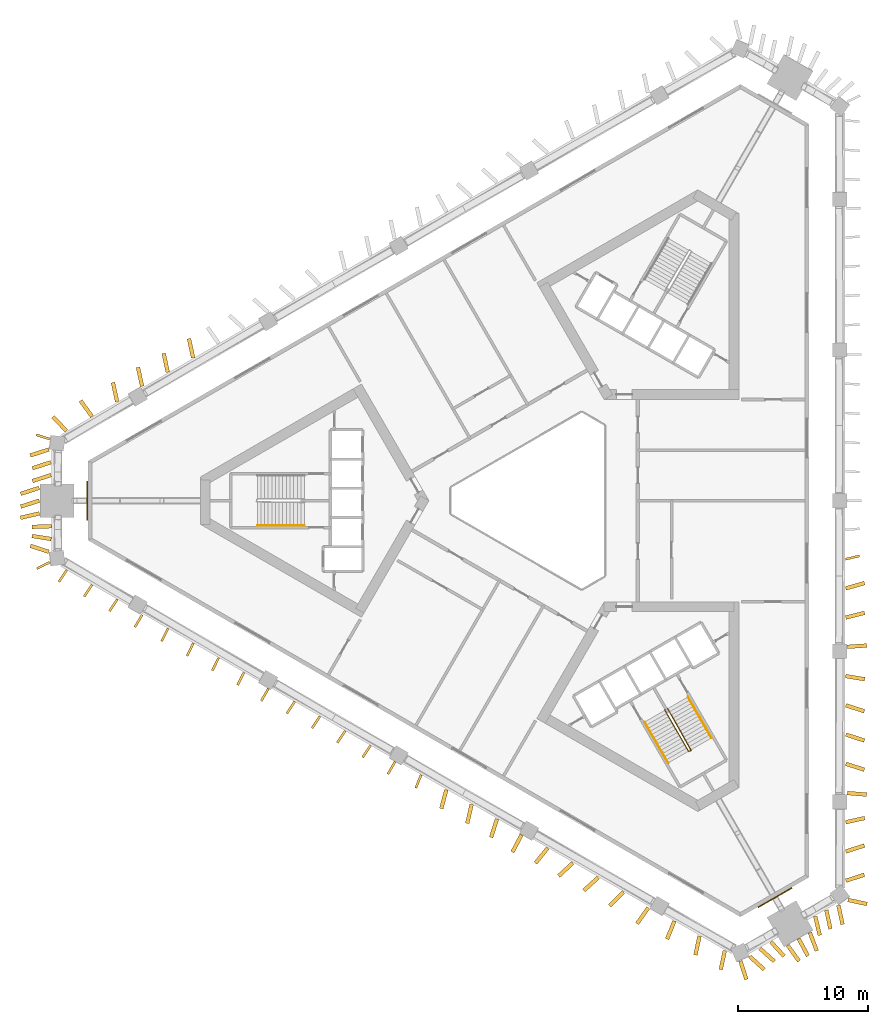
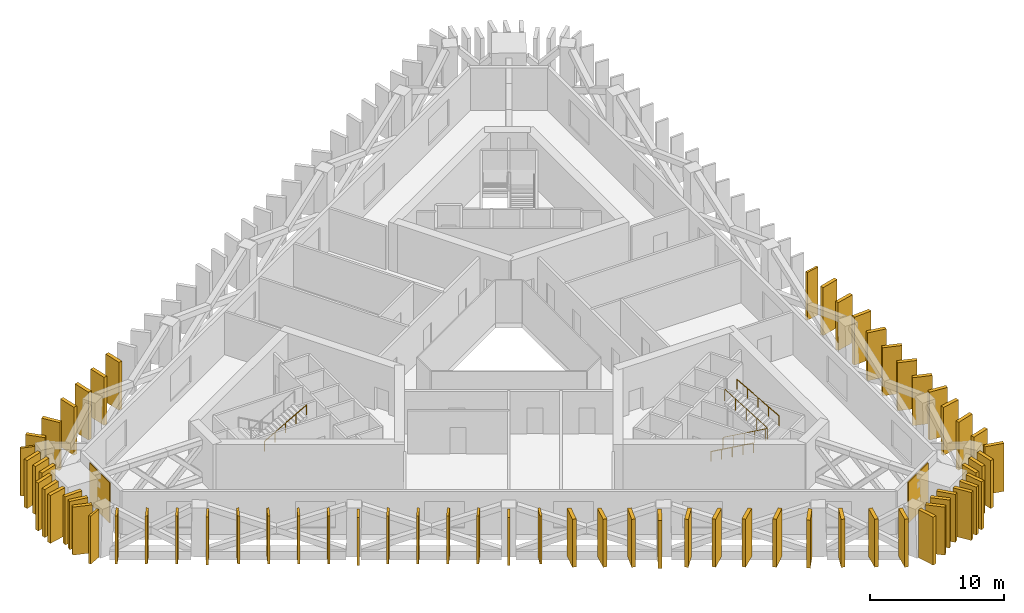
# One storey, part 8 of 9: 67 shading devices, 4 railings, 2 coverings.
"""IFC4 building model written with IfcOpenShell, lengths in metres."""

from ifc_helpers import new_model, si_unit, direction, frame, frame_2d, origin, origin_2d, place, context, subcontext, project, spatial, rectangle, circle, extrude, material, layer, layer_set, type_object, element, save


model = new_model("IFC4")

# Units and contexts
model_context = context("Model", 3, precision=1e-05, world=origin(), true_north=direction((0.0, 1.0)))
body_context = subcontext(model_context, "Body", "Model", "MODEL_VIEW")
ifc_project = project(units=[si_unit("LENGTHUNIT", "METRE"), si_unit("AREAUNIT", "SQUARE_METRE"), si_unit("VOLUMEUNIT", "CUBIC_METRE"), si_unit("PLANEANGLEUNIT", "RADIAN"), si_unit("MASSUNIT", "GRAM", prefix="KILO")], contexts=[model_context])

# Site, building, storey
site_placement = place(None, origin())
site = spatial("IfcSite", under=ifc_project, at=site_placement, CompositionType="ELEMENT")
building_placement = place(site_placement, origin())
building = spatial("IfcBuilding", under=site, at=building_placement, Name="Jabali Bay Hotel Tower and Convention Centre", CompositionType="ELEMENT")
storey_placement = place(building_placement, frame((0.0, 0.0, 98.0)))
storey = spatial("IfcBuildingStorey", under=building, at=storey_placement, Name="L23", CompositionType="ELEMENT", Elevation=98.0)

# Shading devices
ifc_material_1 = material(Name="Precast concrete C60", Category="concrete")
ifc_layer_1 = layer(ifc_material_1, 0.179931640625)
ifc_layer_set_1 = layer_set([ifc_layer_1], Name="Precast concrete C60")
shading_device_type_1 = type_object("IfcShadingDeviceType", Name="Precast fin 4380 x 1100", PredefinedType="USERDEFINED", material=ifc_layer_set_1)
for number, where, z_axis, x_axis, name in (
    (1, (98.0966796875, 75.49462890625, 0.010009765625), (0.0, 0.0, 1.0), (0.975909482214, 0.218175806463, 0.0), "Fin L23 011"),
    (2, (38.09716796875, 74.65185546875, 0.010009765625), (0.0, 0.0, 1.0), (-0.555724089154, -0.831366788327, 0.0), "Fin L23 072"),
):
    element("IfcShadingDevice", number, at=place(storey_placement, frame(where, z_axis=z_axis, x_axis=x_axis)), inside=storey, type_object=shading_device_type_1, Name=name, ObjectType="FIN", PredefinedType="USERDEFINED", context=body_context, shape_type="SweptSolid", body=[
        extrude(rectangle(XDim=1.10009765625, YDim=0.179931640625, at=frame_2d((0.550048828125, 0.0))), origin(), (0.0, 0.0, 1.0), 4.3798828125),
    ])
shading_device_1_placement = place(storey_placement, frame((40.048095703125, 73.525634765625, 0.010009765625), z_axis=(0.0, 0.0, 1.0), x_axis=(-0.554239113087, -0.832357498629, 0.0)))
element("IfcShadingDevice", 3, at=shading_device_1_placement, inside=storey, type_object=shading_device_type_1, Name="Fin L23 073", ObjectType="FIN", PredefinedType="USERDEFINED", context=body_context, shape_type="SweptSolid", body=[
    extrude(rectangle(XDim=1.099853515625, YDim=0.179931640625, at=frame_2d((0.5498046875, 0.0))), origin(), (0.0, 0.0, 1.0), 4.3798828125),
])
for number, where, z_axis, x_axis, name in (
    (4, (41.9990234375, 72.3994140625, 0.010009765625), (0.0, 0.0, 1.0), (-0.553726719201, -0.832698457091, 0.0), "Fin L23 074"),
    (5, (43.90673828125, 71.19873046875, 0.010009765625), (0.0, 0.0, 1.0), (-0.511784264173, -0.859114001134, 0.0), "Fin L23 075"),
    (6, (45.90087890625, 70.147216796875, 0.010009765625), (0.0, 0.0, 1.0), (-0.449431634171, -0.893314729648, 0.0), "Fin L23 076"),
    (7, (47.8515625, 69.0205078125, 0.010009765625), (0.0, 0.0, 1.0), (-0.444726372088, -0.895666485903, 0.0), "Fin L23 077"),
):
    element("IfcShadingDevice", number, at=place(storey_placement, frame(where, z_axis=z_axis, x_axis=x_axis)), inside=storey, type_object=shading_device_type_1, Name=name, ObjectType="FIN", PredefinedType="USERDEFINED", context=body_context, shape_type="SweptSolid", body=[
        extrude(rectangle(XDim=1.10009765625, YDim=0.179931640625, at=frame_2d((0.550048828125, 0.0))), origin(), (0.0, 0.0, 1.0), 4.3798828125),
    ])
shading_device_2_placement = place(storey_placement, frame((49.802490234375, 67.89404296875, 0.010009765625), z_axis=(0.0, 0.0, 1.0), x_axis=(-0.444814783853, -0.895622581262, 0.0)))
element("IfcShadingDevice", 8, at=shading_device_2_placement, inside=storey, type_object=shading_device_type_1, Name="Fin L23 078", ObjectType="FIN", PredefinedType="USERDEFINED", context=body_context, shape_type="SweptSolid", body=[
    extrude(rectangle(XDim=1.099853515625, YDim=0.179931640625, at=frame_2d((0.5498046875, 0.0))), origin(), (0.0, 0.0, 1.0), 4.3798828125),
])
for number, where, z_axis, x_axis, name in (
    (9, (51.753662109375, 66.76806640625, 0.010009765625), (0.0, 0.0, 1.0), (-0.448988248692, -0.89353766151, 0.0), "Fin L23 079"),
    (10, (53.632080078125, 65.516357421875, 0.010009765625), (0.0, 0.0, 1.0), (-0.501578583519, -0.865112087856, 0.0), "Fin L23 080"),
    (11, (55.6552734375, 64.515625, 0.010009765625), (0.0, 0.0, 1.0), (-0.547972709653, -0.836496210078, 0.0), "Fin L23 081"),
    (12, (57.605712890625, 63.388427734375, 0.010009765625), (0.0, 0.0, 1.0), (-0.555980009223, -0.831195662491, 0.0), "Fin L23 082"),
):
    element("IfcShadingDevice", number, at=place(storey_placement, frame(where, z_axis=z_axis, x_axis=x_axis)), inside=storey, type_object=shading_device_type_1, Name=name, ObjectType="FIN", PredefinedType="USERDEFINED", context=body_context, shape_type="SweptSolid", body=[
        extrude(rectangle(XDim=1.10009765625, YDim=0.179931640625, at=frame_2d((0.550048828125, 0.0))), origin(), (0.0, 0.0, 1.0), 4.3798828125),
    ])
for number, where, z_axis, x_axis, name in (
    (13, (59.556396484375, 62.26171875, 0.010009765625), (0.0, 0.0, 1.0), (-0.560475076769, -0.828171291654, 0.0), "Fin L23 083"),
    (14, (61.5078125, 61.13623046875, 0.010009765625), (0.0, 0.0, 1.0), (-0.551160687173, -0.834399123271, 0.0), "Fin L23 084"),
):
    element("IfcShadingDevice", number, at=place(storey_placement, frame(where, z_axis=z_axis, x_axis=x_axis)), inside=storey, type_object=shading_device_type_1, Name=name, ObjectType="FIN", PredefinedType="USERDEFINED", context=body_context, shape_type="SweptSolid", body=[
        extrude(rectangle(XDim=1.099853515625, YDim=0.179931640625, at=frame_2d((0.5498046875, 0.0))), origin(), (0.0, 0.0, 1.0), 4.3798828125),
    ])
shading_device_3_placement = place(storey_placement, frame((63.38623046875, 59.884521484375, 0.010009765625), z_axis=(0.0, 0.0, 1.0), x_axis=(-0.49554135121, -0.868584347799, 0.0)))
element("IfcShadingDevice", 15, at=shading_device_3_placement, inside=storey, type_object=shading_device_type_1, Name="Fin L23 085", ObjectType="FIN", PredefinedType="USERDEFINED", context=body_context, shape_type="SweptSolid", body=[
    extrude(rectangle(XDim=1.10009765625, YDim=0.179931640625, at=frame_2d((0.550048828125, 0.0))), origin(), (0.0, 0.0, 1.0), 4.3798828125),
])
shading_device_4_placement = place(storey_placement, frame((65.406005859375, 58.87744140625, 0.010009765625), z_axis=(0.0, 0.0, 1.0), x_axis=(-0.375787543614, -0.926705844411, 0.0)))
element("IfcShadingDevice", 16, at=shading_device_4_placement, inside=storey, type_object=shading_device_type_1, Name="Fin L23 086", ObjectType="FIN", PredefinedType="USERDEFINED", context=body_context, shape_type="SweptSolid", body=[
    extrude(rectangle(XDim=1.099853515625, YDim=0.179931640625, at=frame_2d((0.5498046875, 0.0))), origin(), (0.0, 0.0, 1.0), 4.3798828125),
])
shading_device_5_placement = place(storey_placement, frame((36.79052734375, 84.74169921875, 0.010009765625), z_axis=(0.0, 0.0, 1.0), x_axis=(-0.953515567639, 0.301343760962, 0.0)))
element("IfcShadingDevice", 17, at=shading_device_5_placement, inside=storey, type_object=shading_device_type_1, Name="Fin L23 111", ObjectType="FIN", PredefinedType="USERDEFINED", context=body_context, shape_type="SweptSolid", body=[
    extrude(rectangle(XDim=1.10009765625, YDim=0.179931640625, at=frame_2d((0.550048828125, 0.0))), origin(), (0.0, 0.0, 1.0), 4.3798828125),
])
shading_device_6_placement = place(storey_placement, frame((36.778076171875, 75.2509765625, 0.010009765625), z_axis=(0.0, 0.0, 1.0), x_axis=(-0.897688364784, -0.440630911003, 0.0)))
element("IfcShadingDevice", 18, at=shading_device_6_placement, inside=storey, type_object=shading_device_type_1, Name="Fin L23 112", ObjectType="FIN", PredefinedType="USERDEFINED", context=body_context, shape_type="SweptSolid", body=[
    extrude(rectangle(XDim=1.099853515625, YDim=0.179931640625, at=frame_2d((0.5498046875, 0.0))), origin(), (0.0, 0.0, 1.0), 4.3798828125),
])
ifc_layer_2 = layer(ifc_material_1, 0.300048828125)
ifc_layer_set_2 = layer_set([ifc_layer_2], Name="Precast concrete C60")
shading_device_type_2 = type_object("IfcShadingDeviceType", Name="Precast fin 4380 x 1500", PredefinedType="USERDEFINED", material=ifc_layer_set_2)
for number, where, z_axis, x_axis, name in (
    (19, (98.123046875, 50.715087890625, 0.010009765625), (0.0, 0.0, 1.0), (0.951777621698, 0.30678878538, 0.0), "Fin L23 000"),
    (20, (98.123046875, 52.9677734375, 0.010009765625), (0.0, 0.0, 1.0), (0.951777621698, 0.30678878538, 0.0), "Fin L23 001"),
    (21, (98.109619140625, 55.220458984375, 0.010009765625), (0.0, 0.0, 1.0), (0.976286533474, 0.216482342368, 0.0), "Fin L23 002"),
    (22, (98.236328125, 57.47314453125, 0.010009765625), (0.0, 0.0, 1.0), (0.996602769418, -0.08235848462, 0.0), "Fin L23 003"),
    (23, (98.123046875, 59.725830078125, 0.010009765625), (0.0, 0.0, 1.0), (0.951825135568, -0.306641339844, 0.0), "Fin L23 004"),
    (24, (98.123046875, 61.978515625, 0.010009765625), (0.0, 0.0, 1.0), (0.951825135568, -0.306641339844, 0.0), "Fin L23 005"),
    (25, (98.123046875, 64.231201171875, 0.010009765625), (0.0, 0.0, 1.0), (0.951825135568, -0.306641339844, 0.0), "Fin L23 006"),
):
    element("IfcShadingDevice", number, at=place(storey_placement, frame(where, z_axis=z_axis, x_axis=x_axis)), inside=storey, type_object=shading_device_type_2, Name=name, ObjectType="FIN", PredefinedType="USERDEFINED", context=body_context, shape_type="SweptSolid", body=[
        extrude(rectangle(XDim=1.5, YDim=0.300048828125, at=frame_2d((0.75, 0.0))), origin(), (0.0, 0.0, 1.0), 4.3798828125),
    ])
shading_device_7_placement = place(storey_placement, frame((98.101318359375, 66.48388671875, 0.010009765625), z_axis=(0.0, 0.0, 1.0), x_axis=(0.986882126958, -0.161442458764, 0.0)))
element("IfcShadingDevice", 26, at=shading_device_7_placement, inside=storey, type_object=shading_device_type_2, Name="Fin L23 007", ObjectType="FIN", PredefinedType="USERDEFINED", context=body_context, shape_type="SweptSolid", body=[
    extrude(rectangle(XDim=1.500244140625, YDim=0.300048828125, at=frame_2d((0.75, 0.0))), origin(), (0.0, 0.0, 1.0), 4.3798828125),
])
shading_device_8_placement = place(storey_placement, frame((98.2373046875, 68.736572265625, 0.010009765625), z_axis=(0.0, 0.0, 1.0), x_axis=(0.99766104503, 0.068355242889, 0.0)))
element("IfcShadingDevice", 27, at=shading_device_8_placement, inside=storey, type_object=shading_device_type_2, Name="Fin L23 008", ObjectType="FIN", PredefinedType="USERDEFINED", context=body_context, shape_type="SweptSolid", body=[
    extrude(rectangle(XDim=1.5, YDim=0.300048828125, at=frame_2d((0.75, 0.0))), origin(), (0.0, 0.0, 1.0), 4.3798828125),
])
shading_device_9_placement = place(storey_placement, frame((98.1142578125, 70.9892578125, 0.010009765625), z_axis=(0.0, 0.0, 1.0), x_axis=(0.96899237774, 0.247090614717, 0.0)))
element("IfcShadingDevice", 28, at=shading_device_9_placement, inside=storey, type_object=shading_device_type_2, Name="Fin L23 009", ObjectType="FIN", PredefinedType="USERDEFINED", context=body_context, shape_type="SweptSolid", body=[
    extrude(rectangle(XDim=1.499755859375, YDim=0.300048828125, at=frame_2d((0.75, 0.0))), origin(), (0.0, 0.0, 1.0), 4.3798828125),
])
for number, where, z_axis, x_axis, name in (
    (29, (98.118408203125, 73.241943359375, 0.010009765625), (0.0, 0.0, 1.0), (0.961566928218, 0.274570651304, 0.0), "Fin L23 010"),
    (30, (47.831298828125, 91.014404296875, 0.010009765625), (0.0, 0.0, 1.0), (-0.210273710971, 0.977642555577, 0.0), "Fin L23 057"),
    (31, (45.880615234375, 89.88818359375, 0.010009765625), (0.0, 0.0, 1.0), (-0.210618295232, 0.977568378025, 0.0), "Fin L23 058"),
    (32, (43.9052734375, 88.803955078125, 0.010009765625), (0.0, 0.0, 1.0), (-0.211584929219, 0.977359615355, 0.0), "Fin L23 059"),
    (33, (41.979248046875, 87.634765625, 0.010009765625), (0.0, 0.0, 1.0), (-0.215482690322, 0.976507660068, 0.0), "Fin L23 060"),
):
    element("IfcShadingDevice", number, at=place(storey_placement, frame(where, z_axis=z_axis, x_axis=x_axis)), inside=storey, type_object=shading_device_type_2, Name=name, ObjectType="FIN", PredefinedType="USERDEFINED", context=body_context, shape_type="SweptSolid", body=[
        extrude(rectangle(XDim=1.5, YDim=0.300048828125, at=frame_2d((0.75, 0.0))), origin(), (0.0, 0.0, 1.0), 4.3798828125),
    ])
shading_device_10_placement = place(storey_placement, frame((40.043212890625, 86.482666015625, 0.010009765625), z_axis=(0.0, 0.0, 1.0), x_axis=(-0.586690186421, 0.809811475071, 0.0)))
element("IfcShadingDevice", 34, at=shading_device_10_placement, inside=storey, type_object=shading_device_type_2, Name="Fin L23 061", ObjectType="FIN", PredefinedType="USERDEFINED", context=body_context, shape_type="SweptSolid", body=[
    extrude(rectangle(XDim=1.500244140625, YDim=0.300048828125, at=frame_2d((0.75, 0.0))), origin(), (0.0, 0.0, 1.0), 4.3798828125),
])
shading_device_11_placement = place(storey_placement, frame((38.081298828125, 85.375244140625, 0.010009765625), z_axis=(0.0, 0.0, 1.0), x_axis=(-0.699991674249, 0.714151003628, 0.0)))
element("IfcShadingDevice", 35, at=shading_device_11_placement, inside=storey, type_object=shading_device_type_2, Name="Fin L23 062", ObjectType="FIN", PredefinedType="USERDEFINED", context=body_context, shape_type="SweptSolid", body=[
    extrude(rectangle(XDim=1.5, YDim=0.300048828125, at=frame_2d((0.75, 0.0))), origin(), (0.0, 0.0, 1.0), 4.3798828125),
])
shading_device_12_placement = place(storey_placement, frame((36.7177734375, 83.94091796875, 0.010009765625), z_axis=(0.0, 0.0, 1.0), x_axis=(-0.951762299961, -0.306836315277, 0.0)))
element("IfcShadingDevice", 36, at=shading_device_12_placement, inside=storey, type_object=shading_device_type_2, Name="Fin L23 063", ObjectType="FIN", PredefinedType="USERDEFINED", context=body_context, shape_type="SweptSolid", body=[
    extrude(rectangle(XDim=1.499755859375, YDim=0.300048828125, at=frame_2d((0.75, 0.0))), origin(), (0.0, 0.0, 1.0), 4.3798828125),
])
for number, where, z_axis, x_axis, name in (
    (37, (36.878662109375, 82.95556640625, 0.010009765625), (0.0, 0.0, 1.0), (-0.951777621698, -0.30678878538, 0.0), "Fin L23 064"),
    (38, (36.878662109375, 81.970458984375, 0.010009765625), (0.0, 0.0, 1.0), (-0.951777621698, -0.30678878538, 0.0), "Fin L23 065"),
    (39, (35.9794921875, 80.985107421875, 0.010009765625), (0.0, 0.0, 1.0), (-0.951825135568, -0.306641339844, 0.0), "Fin L23 066"),
    (40, (35.9794921875, 80.0, 0.010009765625), (0.0, 0.0, 1.0), (-0.951777621698, -0.30678878538, 0.0), "Fin L23 067"),
    (41, (35.99169921875, 79.014892578125, 0.010009765625), (0.0, 0.0, 1.0), (-0.974413135525, -0.224764412921, 0.0), "Fin L23 068"),
    (42, (36.91943359375, 78.029541015625, 0.010009765625), (0.0, 0.0, 1.0), (-0.999415625797, -0.034181967658, 0.0), "Fin L23 069"),
    (43, (36.901123046875, 77.04443359375, 0.010009765625), (0.0, 0.0, 1.0), (-0.987769562684, 0.155920784487, 0.0), "Fin L23 070"),
):
    element("IfcShadingDevice", number, at=place(storey_placement, frame(where, z_axis=z_axis, x_axis=x_axis)), inside=storey, type_object=shading_device_type_2, Name=name, ObjectType="FIN", PredefinedType="USERDEFINED", context=body_context, shape_type="SweptSolid", body=[
        extrude(rectangle(XDim=1.5, YDim=0.300048828125, at=frame_2d((0.75, 0.0))), origin(), (0.0, 0.0, 1.0), 4.3798828125),
    ])
shading_device_13_placement = place(storey_placement, frame((36.7177734375, 76.05908203125, 0.010009765625), z_axis=(0.0, 0.0, 1.0), x_axis=(-0.951762299961, 0.306836315277, 0.0)))
element("IfcShadingDevice", 44, at=shading_device_13_placement, inside=storey, type_object=shading_device_type_2, Name="Fin L23 071", ObjectType="FIN", PredefinedType="USERDEFINED", context=body_context, shape_type="SweptSolid", body=[
    extrude(rectangle(XDim=1.499755859375, YDim=0.300048828125, at=frame_2d((0.75, 0.0))), origin(), (0.0, 0.0, 1.0), 4.3798828125),
])
shading_device_14_placement = place(storey_placement, frame((67.343505859375, 57.72802734375, 0.010009765625), z_axis=(0.0, 0.0, 1.0), x_axis=(-0.255838880915, -0.96671943552, 0.0)))
element("IfcShadingDevice", 45, at=shading_device_14_placement, inside=storey, type_object=shading_device_type_2, Name="Fin L23 087", ObjectType="FIN", PredefinedType="USERDEFINED", context=body_context, shape_type="SweptSolid", body=[
    extrude(rectangle(XDim=1.5, YDim=0.300048828125, at=frame_2d((0.75, 0.0))), origin(), (0.0, 0.0, 1.0), 4.3798828125),
])
shading_device_15_placement = place(storey_placement, frame((69.2919921875, 56.597412109375, 0.010009765625), z_axis=(0.0, 0.0, 1.0), x_axis=(-0.224146146919, -0.974555542194, 0.0)))
element("IfcShadingDevice", 46, at=shading_device_15_placement, inside=storey, type_object=shading_device_type_2, Name="Fin L23 088", ObjectType="FIN", PredefinedType="USERDEFINED", context=body_context, shape_type="SweptSolid", body=[
    extrude(rectangle(XDim=1.499755859375, YDim=0.300048828125, at=frame_2d((0.75, 0.0))), origin(), (0.0, 0.0, 1.0), 4.3798828125),
])
shading_device_16_placement = place(storey_placement, frame((71.2490234375, 55.481689453125, 0.010009765625), z_axis=(0.0, 0.0, 1.0), x_axis=(-0.304191023559, -0.952611054516, 0.0)))
element("IfcShadingDevice", 47, at=shading_device_16_placement, inside=storey, type_object=shading_device_type_2, Name="Fin L23 089", ObjectType="FIN", PredefinedType="USERDEFINED", context=body_context, shape_type="SweptSolid", body=[
    extrude(rectangle(XDim=1.5, YDim=0.300048828125, at=frame_2d((0.75, 0.0))), origin(), (0.0, 0.0, 1.0), 4.3798828125),
])
shading_device_17_placement = place(storey_placement, frame((73.13818359375, 54.24853515625, 0.010009765625), z_axis=(0.0, 0.0, 1.0), x_axis=(-0.470115029029, -0.882605154914, 0.0)))
element("IfcShadingDevice", 48, at=shading_device_17_placement, inside=storey, type_object=shading_device_type_2, Name="Fin L23 090", ObjectType="FIN", PredefinedType="USERDEFINED", context=body_context, shape_type="SweptSolid", body=[
    extrude(rectangle(XDim=1.499755859375, YDim=0.300048828125, at=frame_2d((0.75, 0.0))), origin(), (0.0, 0.0, 1.0), 4.3798828125),
])
shading_device_18_placement = place(storey_placement, frame((75.15478515625, 53.236083984375, 0.010009765625), z_axis=(0.0, 0.0, 1.0), x_axis=(-0.630966293412, -0.775810245214, 0.0)))
element("IfcShadingDevice", 49, at=shading_device_18_placement, inside=storey, type_object=shading_device_type_2, Name="Fin L23 091", ObjectType="FIN", PredefinedType="USERDEFINED", context=body_context, shape_type="SweptSolid", body=[
    extrude(rectangle(XDim=1.500244140625, YDim=0.300048828125, at=frame_2d((0.75, 0.0))), origin(), (0.0, 0.0, 1.0), 4.3798828125),
])
for number, where, z_axis, x_axis, name in (
    (50, (77.09521484375, 52.091552734375, 0.010009765625), (0.0, 0.0, 1.0), (-0.73532736933, -0.677712077444, 0.0), "Fin L23 092"),
    (51, (79.04541015625, 50.964111328125, 0.010009765625), (0.0, 0.0, 1.0), (-0.741543490988, -0.670904800231, 0.0), "Fin L23 093"),
    (52, (80.999267578125, 49.8427734375, 0.010009765625), (0.0, 0.0, 1.0), (-0.713667514595, -0.700484602695, 0.0), "Fin L23 094"),
    (53, (82.903564453125, 48.635986328125, 0.010009765625), (0.0, 0.0, 1.0), (-0.57585217393, -0.817553835402, 0.0), "Fin L23 095"),
    (54, (84.91064453125, 47.606689453125, 0.010009765625), (0.0, 0.0, 1.0), (-0.373690586218, -0.927553419363, 0.0), "Fin L23 096"),
    (55, (86.848876953125, 46.458740234375, 0.010009765625), (0.0, 0.0, 1.0), (-0.210118148459, -0.977676001387, 0.0), "Fin L23 097"),
):
    element("IfcShadingDevice", number, at=place(storey_placement, frame(where, z_axis=z_axis, x_axis=x_axis)), inside=storey, type_object=shading_device_type_2, Name=name, ObjectType="FIN", PredefinedType="USERDEFINED", context=body_context, shape_type="SweptSolid", body=[
        extrude(rectangle(XDim=1.5, YDim=0.300048828125, at=frame_2d((0.75, 0.0))), origin(), (0.0, 0.0, 1.0), 4.3798828125),
    ])
shading_device_19_placement = place(storey_placement, frame((88.7998046875, 45.332275390625, 0.010009765625), z_axis=(0.0, 0.0, 1.0), x_axis=(-0.210151588234, -0.977668814048, 0.0)))
element("IfcShadingDevice", 56, at=shading_device_19_placement, inside=storey, type_object=shading_device_type_2, Name="Fin L23 098", ObjectType="FIN", PredefinedType="USERDEFINED", context=body_context, shape_type="SweptSolid", body=[
    extrude(rectangle(XDim=1.499755859375, YDim=0.300048828125, at=frame_2d((0.75, 0.0))), origin(), (0.0, 0.0, 1.0), 4.3798828125),
])
shading_device_20_placement = place(storey_placement, frame((90.728271484375, 44.876220703125, 0.010009765625), z_axis=(0.0, 0.0, 1.0), x_axis=(0.741543490988, -0.670904800231, 0.0)))
element("IfcShadingDevice", 57, at=shading_device_20_placement, inside=storey, type_object=shading_device_type_2, Name="Fin L23 099", ObjectType="FIN", PredefinedType="USERDEFINED", context=body_context, shape_type="SweptSolid", body=[
    extrude(rectangle(XDim=1.5, YDim=0.300048828125, at=frame_2d((0.75, 0.0))), origin(), (0.0, 0.0, 1.0), 4.3798828125),
])
shading_device_21_placement = place(storey_placement, frame((91.5009765625, 45.508056640625, 0.010009765625), z_axis=(0.0, 0.0, 1.0), x_axis=(0.741616739041, -0.670823831101, 0.0)))
element("IfcShadingDevice", 58, at=shading_device_21_placement, inside=storey, type_object=shading_device_type_2, Name="Fin L23 100", ObjectType="FIN", PredefinedType="USERDEFINED", context=body_context, shape_type="SweptSolid", body=[
    extrude(rectangle(XDim=1.500244140625, YDim=0.300048828125, at=frame_2d((0.75, 0.0))), origin(), (0.0, 0.0, 1.0), 4.3798828125),
])
for number, where, z_axis, x_axis, name in (
    (59, (92.347412109375, 46.012451171875, 0.010009765625), (0.0, 0.0, 1.0), (0.675422405052, -0.737431064408, 0.0), "Fin L23 101"),
    (60, (93.6416015625, 45.7412109375, 0.010009765625), (0.0, 0.0, 1.0), (0.584973420067, -0.811052463047, 0.0), "Fin L23 102"),
    (61, (94.489501953125, 46.2431640625, 0.010009765625), (0.0, 0.0, 1.0), (0.474798537091, -0.880094511502, 0.0), "Fin L23 103"),
    (62, (95.3525390625, 46.71875, 0.010009765625), (0.0, 0.0, 1.0), (0.353815141677, -0.935315372225, 0.0), "Fin L23 104"),
    (63, (95.765380859375, 47.97412109375, 0.010009765625), (0.0, 0.0, 1.0), (0.234062385938, -0.97222157942, 0.0), "Fin L23 105"),
):
    element("IfcShadingDevice", number, at=place(storey_placement, frame(where, z_axis=z_axis, x_axis=x_axis)), inside=storey, type_object=shading_device_type_2, Name=name, ObjectType="FIN", PredefinedType="USERDEFINED", context=body_context, shape_type="SweptSolid", body=[
        extrude(rectangle(XDim=1.5, YDim=0.300048828125, at=frame_2d((0.75, 0.0))), origin(), (0.0, 0.0, 1.0), 4.3798828125),
    ])
shading_device_22_placement = place(storey_placement, frame((96.620361328125, 48.463623046875, 0.010009765625), z_axis=(0.0, 0.0, 1.0), x_axis=(0.210151588234, -0.977668814048, 0.0)))
element("IfcShadingDevice", 64, at=shading_device_22_placement, inside=storey, type_object=shading_device_type_2, Name="Fin L23 106", ObjectType="FIN", PredefinedType="USERDEFINED", context=body_context, shape_type="SweptSolid", body=[
    extrude(rectangle(XDim=1.499755859375, YDim=0.300048828125, at=frame_2d((0.75, 0.0))), origin(), (0.0, 0.0, 1.0), 4.3798828125),
])
for number, where, z_axis, x_axis, name in (
    (65, (97.553955078125, 48.817138671875, 0.010009765625), (0.0, 0.0, 1.0), (0.210118148459, -0.977676001387, 0.0), "Fin L23 107"),
    (66, (98.288330078125, 49.23583984375, 0.010009765625), (0.0, 0.0, 1.0), (0.977676001387, -0.210118148459, 0.0), "Fin L23 108"),
):
    element("IfcShadingDevice", number, at=place(storey_placement, frame(where, z_axis=z_axis, x_axis=x_axis)), inside=storey, type_object=shading_device_type_2, Name=name, ObjectType="FIN", PredefinedType="USERDEFINED", context=body_context, shape_type="SweptSolid", body=[
        extrude(rectangle(XDim=1.5, YDim=0.300048828125, at=frame_2d((0.75, 0.0))), origin(), (0.0, 0.0, 1.0), 4.3798828125),
    ])
shading_device_23_placement = place(storey_placement, frame((89.998291015625, 44.54150390625, 0.010009765625), z_axis=(0.0, 0.0, 1.0), x_axis=(0.306836315277, -0.951762299961, 0.0)))
element("IfcShadingDevice", 67, at=shading_device_23_placement, inside=storey, type_object=shading_device_type_2, Name="Fin L23 113", ObjectType="FIN", PredefinedType="USERDEFINED", context=body_context, shape_type="SweptSolid", body=[
    extrude(rectangle(XDim=1.499755859375, YDim=0.300048828125, at=frame_2d((0.75, 0.0))), origin(), (0.0, 0.0, 1.0), 4.3798828125),
])

# Coverings
ifc_material_2 = material(Name="Precast concrete C40/50", Category="concrete")
ifc_layer_3 = layer(ifc_material_2, 0.080078125)
ifc_layer_set_3 = layer_set([ifc_layer_3], Name="Precast concrete C40/50")
covering_type = type_object("IfcCoveringType", Name="Relief panel 3000 x 3700", PredefinedType="CLADDING", material=ifc_layer_set_3)
for number, where, z_axis, x_axis, name in (
    (68, (39.6845703125, 80.0, 0.10009765625), (0.0, 0.0, 1.0), (0.0, 1.0, 0.0), "Relief panel L23"),
    (69, (92.65771484375, 49.416015625, 0.10009765625), (0.0, 0.0, 1.0), (-0.866025366818, -0.500000064027, 0.0), "Relief panel L23"),
):
    element("IfcCovering", number, at=place(storey_placement, frame(where, z_axis=z_axis, x_axis=x_axis)), inside=storey, type_object=covering_type, Name=name, PredefinedType="CLADDING", context=body_context, shape_type="SweptSolid", body=[
        extrude(rectangle(XDim=3.0, YDim=0.080078125, at=origin_2d()), origin(), (0.0, 0.0, 1.0), 3.699951171875),
    ])

# Railings
ifc_material_3 = material(Name="Steel Q355B", Category="steel")
railing_type_1 = type_object("IfcRailingType", Name="Stair guard 1100", PredefinedType="GUARDRAIL", material=ifc_material_3)
railing_1_placement = place(storey_placement, frame((84.199951171875, 63.9150390625, 0.0)))
element("IfcRailing", 70, at=railing_1_placement, inside=storey, type_object=railing_type_1, Name="L23 ST3 stair guard 1", PredefinedType="GUARDRAIL", context=body_context, shape_type="SweptSolid", body=[
    extrude(circle(Radius=0.02392578125, at=origin_2d()), frame((0.0, 0.0, 1.076171875), z_axis=(-0.106197677715, -0.396471330136, 0.911884059312), x_axis=(0.965948051503, -0.258736085224, 0.0)), (0.0, 0.0, 1.0), 0.17236328125),
    extrude(circle(Radius=0.02392578125, at=origin_2d()), frame((-0.018310546875, -0.068359375, 1.2333984375), z_axis=(0.436044357701, -0.755225318126, 0.48938740991), x_axis=(0.866018046521, 0.500012742938, 0.0)), (0.0, 0.0, 1.0), 4.174072265625),
    extrude(circle(Radius=0.02392578125, at=origin_2d()), frame((1.8017578125, -3.220703125, 3.27587890625), z_axis=(0.96121063429, 0.275815366736, 0.0), x_axis=(-0.275815366736, 0.96121063429, 0.0)), (0.0, 0.0, 1.0), 0.206298828125),
    extrude(circle(Radius=0.02392578125, at=origin_2d()), frame((2.0, -3.163818359375, 3.27587890625), z_axis=(-0.419382495405, 0.749603590364, 0.512067163428), x_axis=(-0.872702246529, -0.488252792008, 0.0)), (0.0, 0.0, 1.0), 4.296142578125),
    extrude(circle(Radius=0.02099609375, at=origin_2d()), origin(), (0.0, 0.0, 1.0), 1.052001953125),
    extrude(circle(Radius=0.02099609375, at=origin_2d()), frame((-0.018310546875, -0.068359375, 0.1572265625)), (0.0, 0.0, 1.0), 1.052001953125),
    extrude(circle(Radius=0.02099609375, at=origin_2d()), frame((0.436767578125, -0.8564453125, 0.66796875)), (0.0, 0.0, 1.0), 1.052001953125),
    extrude(circle(Radius=0.02099609375, at=origin_2d()), frame((0.8916015625, -1.64453125, 1.1787109375)), (0.0, 0.0, 1.0), 1.052001953125),
    extrude(circle(Radius=0.02099609375, at=origin_2d()), frame((1.3466796875, -2.4326171875, 1.689208984375)), (0.0, 0.0, 1.0), 1.052001953125),
    extrude(circle(Radius=0.02099609375, at=origin_2d()), frame((1.8017578125, -3.220703125, 2.199951171875)), (0.0, 0.0, 1.0), 1.052001953125),
    extrude(circle(Radius=0.02099609375, at=origin_2d()), frame((2.0, -3.163818359375, 2.199951171875)), (0.0, 0.0, 1.0), 1.052001953125),
    extrude(circle(Radius=0.02099609375, at=origin_2d()), frame((1.549560546875, -2.358642578125, 2.75)), (0.0, 0.0, 1.0), 1.052001953125),
    extrude(circle(Radius=0.02099609375, at=origin_2d()), frame((1.09912109375, -1.5537109375, 3.2998046875)), (0.0, 0.0, 1.0), 1.052001953125),
    extrude(circle(Radius=0.02099609375, at=origin_2d()), frame((0.648681640625, -0.74853515625, 3.849853515625)), (0.0, 0.0, 1.0), 1.052001953125),
    extrude(circle(Radius=0.02099609375, at=origin_2d()), frame((0.1982421875, 0.056640625, 4.39990234375)), (0.0, 0.0, 1.0), 1.052001953125),
])
railing_type_2 = type_object("IfcRailingType", Name="Stair handrail 900", PredefinedType="HANDRAIL", material=ifc_material_3)
railing_2_placement = place(storey_placement, frame((52.780029296875, 78.074951171875, 2.357177734375)))
element("IfcRailing", 71, at=railing_2_placement, inside=storey, type_object=railing_type_2, Name="L23 ST1 stair handrail 2", PredefinedType="HANDRAIL", context=body_context, shape_type="SweptSolid", body=[
    extrude(circle(Radius=0.02392578125, at=origin_2d()), frame((0.0, 0.0, 0.8759765625), z_axis=(0.872057804188, 0.0, 0.489402887359), x_axis=(0.0, 1.0, 0.0)), (0.0, 0.0, 1.0), 4.173828125),
    extrude(circle(Radius=0.02099609375, at=origin_2d()), origin(), (0.0, 0.0, 1.0), 0.851806640625),
    extrude(circle(Radius=0.02099609375, at=origin_2d()), frame((0.909912109375, 0.0, 0.5107421875)), (0.0, 0.0, 1.0), 0.851806640625),
    extrude(circle(Radius=0.02099609375, at=origin_2d()), frame((1.81982421875, 0.0, 1.021484375)), (0.0, 0.0, 1.0), 0.851806640625),
    extrude(circle(Radius=0.02099609375, at=origin_2d()), frame((2.72998046875, 0.0, 1.531982421875)), (0.0, 0.0, 1.0), 0.851806640625),
    extrude(circle(Radius=0.02099609375, at=origin_2d()), frame((3.639892578125, 0.0, 2.042724609375)), (0.0, 0.0, 1.0), 0.851806640625),
])
railing_3_placement = place(storey_placement, frame((82.622802734375, 62.94677734375, 0.1572265625)))
element("IfcRailing", 72, at=railing_3_placement, inside=storey, type_object=railing_type_2, Name="L23 ST3 stair handrail 1", PredefinedType="HANDRAIL", context=body_context, shape_type="SweptSolid", body=[
    extrude(circle(Radius=0.02392578125, at=origin_2d()), frame((0.0, 0.0, 0.8759765625), z_axis=(0.436044357701, -0.755225318126, 0.48938740991), x_axis=(0.866018046521, 0.500012742938, 0.0)), (0.0, 0.0, 1.0), 4.174072265625),
    extrude(circle(Radius=0.02099609375, at=origin_2d()), origin(), (0.0, 0.0, 1.0), 0.851806640625),
    extrude(circle(Radius=0.02099609375, at=origin_2d()), frame((0.455078125, -0.7880859375, 0.5107421875)), (0.0, 0.0, 1.0), 0.851806640625),
    extrude(circle(Radius=0.02099609375, at=origin_2d()), frame((0.91015625, -1.576171875, 1.021484375)), (0.0, 0.0, 1.0), 0.851806640625),
    extrude(circle(Radius=0.02099609375, at=origin_2d()), frame((1.364990234375, -2.3642578125, 1.531982421875)), (0.0, 0.0, 1.0), 0.851806640625),
    extrude(circle(Radius=0.02099609375, at=origin_2d()), frame((1.820068359375, -3.15234375, 2.042724609375)), (0.0, 0.0, 1.0), 0.851806640625),
])
railing_4_placement = place(storey_placement, frame((87.777099609375, 61.719482421875, 2.357177734375)))
element("IfcRailing", 73, at=railing_4_placement, inside=storey, type_object=railing_type_2, Name="L23 ST3 stair handrail 2", PredefinedType="HANDRAIL", context=body_context, shape_type="SweptSolid", body=[
    extrude(circle(Radius=0.02392578125, at=origin_2d()), frame((0.0, 0.0, 0.8759765625), z_axis=(-0.436044357701, 0.755225318126, 0.48938740991), x_axis=(-0.866018046521, -0.500012742938, 0.0)), (0.0, 0.0, 1.0), 4.174072265625),
    extrude(circle(Radius=0.02099609375, at=origin_2d()), origin(), (0.0, 0.0, 1.0), 0.851806640625),
    extrude(circle(Radius=0.02099609375, at=origin_2d()), frame((-0.455078125, 0.7880859375, 0.5107421875)), (0.0, 0.0, 1.0), 0.851806640625),
    extrude(circle(Radius=0.02099609375, at=origin_2d()), frame((-0.91015625, 1.576171875, 1.021484375)), (0.0, 0.0, 1.0), 0.851806640625),
    extrude(circle(Radius=0.02099609375, at=origin_2d()), frame((-1.364990234375, 2.3642578125, 1.531982421875)), (0.0, 0.0, 1.0), 0.851806640625),
    extrude(circle(Radius=0.02099609375, at=origin_2d()), frame((-1.820068359375, 3.15234375, 2.042724609375)), (0.0, 0.0, 1.0), 0.851806640625),
])

save(model, "model.ifc")
